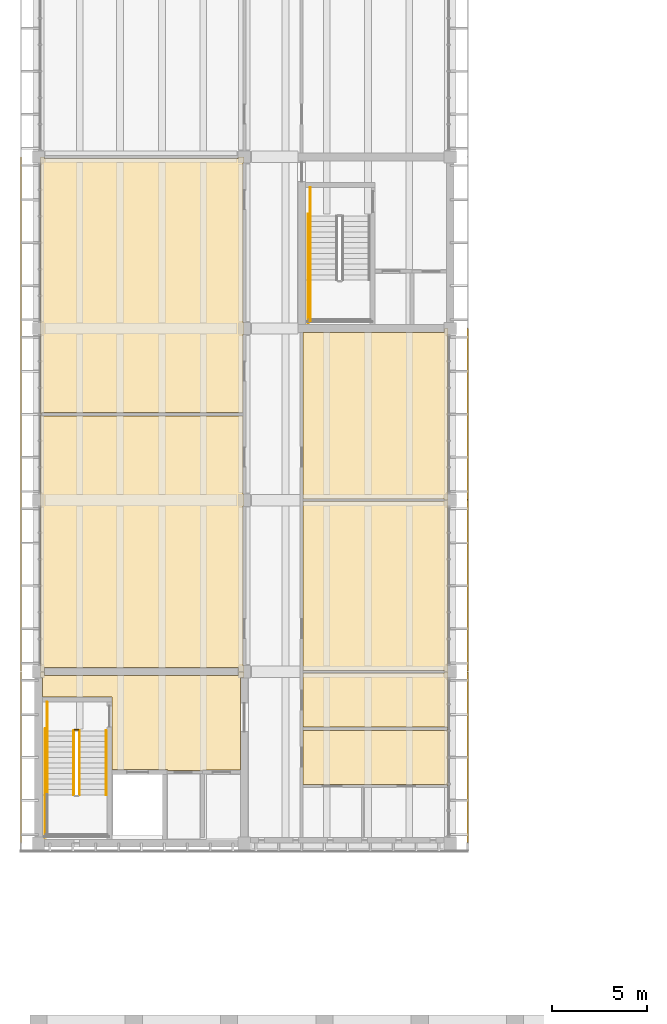
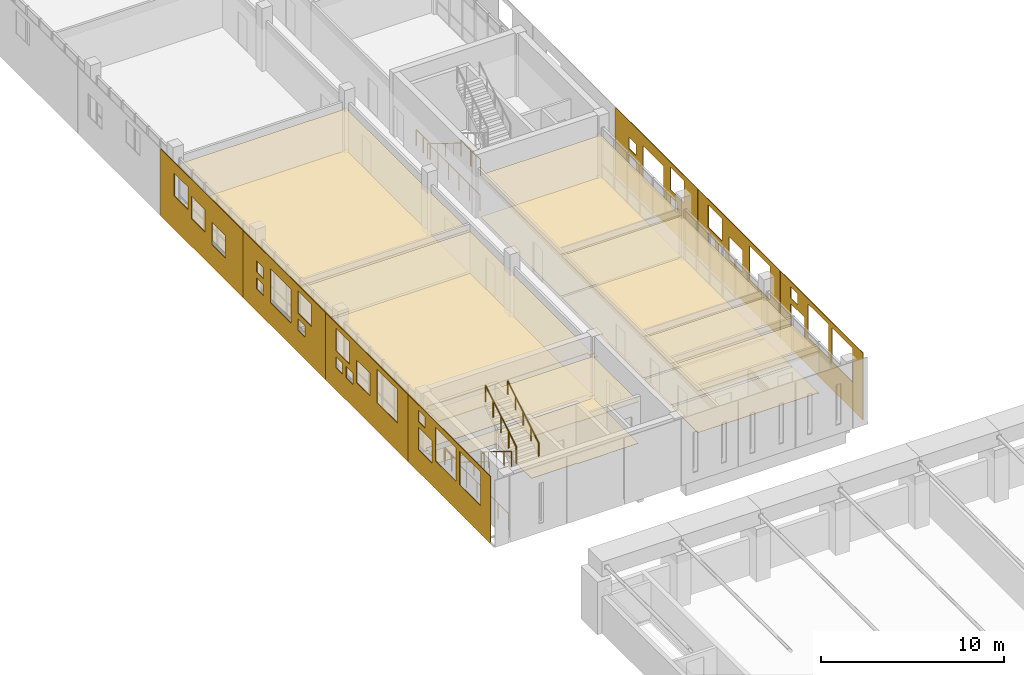
# One storey, part 76 of 92: 21 coverings, 11 railings.
"""IFC4 building model written with IfcOpenShell, lengths in metres."""

from ifc_helpers import new_model, si_unit, direction, frame, origin, origin_2d, place, context, subcontext, project, spatial, polyline, circle, outline, extrude, source, transform, mapped, material, layer, layer_set, type_object, element, save


model = new_model("IFC4")

# Units and contexts
model_context = context("Model", 3, precision=1e-05, world=origin(), true_north=direction((0.0, 1.0)))
body_context = subcontext(model_context, "Body", "Model", "MODEL_VIEW")
ifc_project = project(units=[si_unit("LENGTHUNIT", "METRE"), si_unit("AREAUNIT", "SQUARE_METRE"), si_unit("VOLUMEUNIT", "CUBIC_METRE"), si_unit("PLANEANGLEUNIT", "RADIAN"), si_unit("MASSUNIT", "GRAM", prefix="KILO")], contexts=[model_context])

# Site, building, storey
site_placement = place(None, origin())
site = spatial("IfcSite", under=ifc_project, at=site_placement, CompositionType="ELEMENT")
building_placement = place(site_placement, origin())
building = spatial("IfcBuilding", under=site, at=building_placement, Name="Merrow Basin Faculty of Sciences", CompositionType="ELEMENT")
storey_placement = place(building_placement, frame((0.0, 0.0, 4.5)))
storey = spatial("IfcBuildingStorey", under=building, at=storey_placement, Name="L01", CompositionType="ELEMENT", Elevation=4.5)

# Coverings
ifc_material_1 = material(Name="Carpet tile floor")
ifc_layer_1 = layer(ifc_material_1, 0.02001953125)
ifc_layer_set_1 = layer_set([ifc_layer_1], Name="Carpet tile floor")
covering_type_1 = type_object("IfcCoveringType", Name="Carpet tile floor", PredefinedType="FLOORING", material=ifc_layer_set_1)
covering_1_placement = place(storey_placement, origin())
element("IfcCovering", 1, at=covering_1_placement, inside=storey, type_object=covering_type_1, Name="Floor finish L01-B-022", PredefinedType="FLOORING", context=body_context, shape_type="SweptSolid", body=[
    extrude(outline(polyline([(21.489990234375, 78.989990234375), (21.489990234375, 70.010009765625), (21.284912109375, 70.010009765625), (21.284912109375, 70.06005859375), (13.885009765625, 70.06005859375), (13.885009765625, 78.93994140625), (21.284912109375, 78.93994140625), (21.284912109375, 78.989990234375), (21.489990234375, 78.989990234375)])), origin(), (0.0, 0.0, 1.0), 0.02001953125),
])
covering_2_placement = place(storey_placement, origin())
element("IfcCovering", 2, at=covering_2_placement, inside=storey, type_object=covering_type_1, Name="Floor finish L01-B-023", PredefinedType="FLOORING", context=body_context, shape_type="SweptSolid", body=[
    extrude(outline(polyline([(21.489990234375, 87.989990234375), (21.489990234375, 79.010009765625), (21.284912109375, 79.010009765625), (21.284912109375, 79.06005859375), (13.885009765625, 79.06005859375), (13.885009765625, 87.7900390625), (21.284912109375, 87.7900390625), (21.284912109375, 87.989990234375), (21.489990234375, 87.989990234375)])), origin(), (0.0, 0.0, 1.0), 0.02001953125),
])
covering_3_placement = place(storey_placement, origin())
element("IfcCovering", 3, at=covering_3_placement, inside=storey, type_object=covering_type_1, Name="Floor finish L01-B-027", PredefinedType="FLOORING", context=body_context, shape_type="SweptSolid", body=[
    extrude(outline(polyline([(21.489990234375, 69.989990234375), (21.489990234375, 67.010009765625), (21.429931640625, 67.010009765625), (21.429931640625, 67.0849609375), (13.885009765625, 67.0849609375), (13.885009765625, 69.93994140625), (21.284912109375, 69.93994140625), (21.284912109375, 69.989990234375), (21.489990234375, 69.989990234375)])), origin(), (0.0, 0.0, 1.0), 0.02001953125),
])
ifc_material_2 = material(Name="Laboratory sheet vinyl floor")
ifc_layer_2 = layer(ifc_material_2, 0.02001953125)
ifc_layer_set_2 = layer_set([ifc_layer_2], Name="Laboratory sheet vinyl floor")
covering_type_2 = type_object("IfcCoveringType", Name="Laboratory sheet vinyl floor", PredefinedType="FLOORING", material=ifc_layer_set_2)
covering_4_placement = place(storey_placement, origin())
element("IfcCovering", 4, at=covering_4_placement, inside=storey, type_object=covering_type_2, Name="Floor finish L01-B-017", PredefinedType="FLOORING", context=body_context, shape_type="SweptSolid", body=[
    extrude(outline(polyline([(10.715087890625, 83.4150390625), (10.715087890625, 79.31494140625), (10.7900390625, 79.31494140625), (10.7900390625, 78.68505859375), (10.715087890625, 78.68505859375), (10.715087890625, 70.31494140625), (10.7900390625, 70.31494140625), (10.7900390625, 70.010009765625), (10.485107421875, 70.010009765625), (10.485107421875, 70.2099609375), (0.31494140625, 70.2099609375), (0.31494140625, 70.010009765625), (0.110107421875, 70.010009765625), (0.110107421875, 83.489990234375), (0.169921875, 83.489990234375), (0.169921875, 83.4150390625), (10.715087890625, 83.4150390625)])), origin(), (0.0, 0.0, 1.0), 0.02001953125),
])
covering_5_placement = place(storey_placement, origin())
element("IfcCovering", 5, at=covering_5_placement, inside=storey, type_object=covering_type_2, Name="Floor finish L01-B-018", PredefinedType="FLOORING", context=body_context, shape_type="SweptSolid", body=[
    extrude(outline(polyline([(10.715087890625, 83.5849609375), (0.169921875, 83.5849609375), (0.169921875, 83.510009765625), (0.110107421875, 83.510009765625), (0.110107421875, 96.989990234375), (0.31494140625, 96.989990234375), (0.31494140625, 96.9150390625), (10.485107421875, 96.9150390625), (10.485107421875, 96.989990234375), (10.7900390625, 96.989990234375), (10.7900390625, 96.68505859375), (10.715087890625, 96.68505859375), (10.715087890625, 88.31494140625), (10.7900390625, 88.31494140625), (10.7900390625, 87.68505859375), (10.715087890625, 87.68505859375), (10.715087890625, 83.5849609375)])), origin(), (0.0, 0.0, 1.0), 0.02001953125),
])
ifc_material_3 = material(Name="Polished terrazzo floor")
ifc_layer_3 = layer(ifc_material_3, 0.02001953125)
ifc_layer_set_3 = layer_set([ifc_layer_3], Name="Polished terrazzo floor")
covering_type_3 = type_object("IfcCoveringType", Name="Polished terrazzo floor", PredefinedType="FLOORING", material=ifc_layer_set_3)
covering_6_placement = place(storey_placement, origin())
element("IfcCovering", 6, at=covering_6_placement, inside=storey, type_object=covering_type_3, Name="Floor finish L01-B-005", PredefinedType="FLOORING", context=body_context, shape_type="SweptSolid", body=[
    extrude(outline(polyline([(10.590087890625, 64.8349609375), (8.590087890625, 64.8349609375), (8.590087890625, 64.81005859375), (6.760009765625, 64.81005859375), (6.760009765625, 64.860107421875), (3.860107421875, 64.860107421875), (3.860107421875, 68.659912109375), (0.2099609375, 68.659912109375), (0.2099609375, 69.68505859375), (0.110107421875, 69.68505859375), (0.110107421875, 69.989990234375), (0.31494140625, 69.989990234375), (0.31494140625, 69.7900390625), (10.485107421875, 69.7900390625), (10.485107421875, 69.989990234375), (10.7900390625, 69.989990234375), (10.7900390625, 69.68505859375), (10.590087890625, 69.68505859375), (10.590087890625, 64.8349609375)])), origin(), (0.0, 0.0, 1.0), 0.02001953125),
])
covering_7_placement = place(storey_placement, origin())
element("IfcCovering", 7, at=covering_7_placement, inside=storey, type_object=covering_type_3, Name="Floor finish L01-B-016", PredefinedType="FLOORING", context=body_context, shape_type="SweptSolid", body=[
    extrude(outline(polyline([(21.489990234375, 66.989990234375), (21.489990234375, 64.010009765625), (21.429931640625, 64.010009765625), (21.429931640625, 64.0849609375), (13.885009765625, 64.0849609375), (13.885009765625, 66.9150390625), (21.429931640625, 66.9150390625), (21.429931640625, 66.989990234375), (21.489990234375, 66.989990234375)])), origin(), (0.0, 0.0, 1.0), 0.02001953125),
])

# Railings
ifc_material_4 = material(Name="Steel ASTM A36", Category="steel")
railing_type_1 = type_object("IfcRailingType", Name="Steel guard 1100", PredefinedType="GUARDRAIL", material=ifc_material_4)
railing_1_placement = place(storey_placement, frame((1.85009765625, 66.89990234375, 0.173095703125)))
element("IfcRailing", 8, at=railing_1_placement, inside=storey, type_object=railing_type_1, Name="L01 ST-V4-S stair guard 1", PredefinedType="GUARDRAIL", context=body_context, shape_type="SweptSolid", body=[
    extrude(circle(Radius=0.02392578125, at=origin_2d()), frame((0.0, 0.0, 1.076171875), z_axis=(0.0, -0.850606129759, 0.525803396734), x_axis=(1.0, 0.0, 0.0)), (0.0, 0.0, 1.0), 3.949951171875),
    extrude(circle(Radius=0.02099609375, at=origin_2d()), origin(), (0.0, 0.0, 1.0), 1.052001953125),
    extrude(circle(Radius=0.02099609375, at=origin_2d()), frame((0.0, -0.83984375, 0.519287109375)), (0.0, 0.0, 1.0), 1.052001953125),
    extrude(circle(Radius=0.02099609375, at=origin_2d()), frame((0.0, -1.679931640625, 1.03857421875)), (0.0, 0.0, 1.0), 1.052001953125),
    extrude(circle(Radius=0.02099609375, at=origin_2d()), frame((0.0, -2.52001953125, 1.5576171875)), (0.0, 0.0, 1.0), 1.052001953125),
    extrude(circle(Radius=0.02099609375, at=origin_2d()), frame((0.0, -3.35986328125, 2.076904296875)), (0.0, 0.0, 1.0), 1.052001953125),
])
railing_2_placement = place(storey_placement, frame((2.14990234375, 63.5400390625, 2.423095703125)))
element("IfcRailing", 9, at=railing_2_placement, inside=storey, type_object=railing_type_1, Name="L01 ST-V4-S stair guard 5", PredefinedType="GUARDRAIL", context=body_context, shape_type="SweptSolid", body=[
    extrude(circle(Radius=0.02392578125, at=origin_2d()), frame((0.0, 0.0, 1.076171875), z_axis=(0.0, 0.850606129759, 0.525803396734), x_axis=(-1.0, 0.0, 0.0)), (0.0, 0.0, 1.0), 3.949951171875),
    extrude(circle(Radius=0.02099609375, at=origin_2d()), origin(), (0.0, 0.0, 1.0), 1.052001953125),
    extrude(circle(Radius=0.02099609375, at=origin_2d()), frame((0.0, 0.83984375, 0.519287109375)), (0.0, 0.0, 1.0), 1.052001953125),
    extrude(circle(Radius=0.02099609375, at=origin_2d()), frame((0.0, 1.679931640625, 1.03857421875)), (0.0, 0.0, 1.0), 1.052001953125),
    extrude(circle(Radius=0.02099609375, at=origin_2d()), frame((0.0, 2.52001953125, 1.5576171875)), (0.0, 0.0, 1.0), 1.052001953125),
    extrude(circle(Radius=0.02099609375, at=origin_2d()), frame((0.0, 3.35986328125, 2.076904296875)), (0.0, 0.0, 1.0), 1.052001953125),
])
railing_3_placement = place(storey_placement, frame((1.89990234375, 66.949951171875, 0.0)))
element("IfcRailing", 10, at=railing_3_placement, inside=storey, type_object=railing_type_1, Name="L01 ST-V4-S stair guard 6", PredefinedType="GUARDRAIL", context=body_context, shape_type="SweptSolid", body=[
    extrude(circle(Radius=0.02392578125, at=origin_2d()), frame((0.0, 0.0, 1.076171875), z_axis=(1.0, 0.0, 0.0), x_axis=(0.0, 1.0, 0.0)), (0.0, 0.0, 1.0), 0.2001953125),
    extrude(circle(Radius=0.02099609375, at=origin_2d()), origin(), (0.0, 0.0, 1.0), 1.052001953125),
    extrude(circle(Radius=0.02099609375, at=origin_2d()), frame((0.2001953125, 0.0, 0.0)), (0.0, 0.0, 1.0), 1.052001953125),
])
railing_4_placement = place(storey_placement, frame((0.449951171875, 68.39990234375, 0.0)))
element("IfcRailing", 11, at=railing_4_placement, inside=storey, type_object=railing_type_1, Name="L01 ST-V4-S stair guard 7", PredefinedType="GUARDRAIL", context=body_context, shape_type="SweptSolid", body=[
    extrude(circle(Radius=0.02392578125, at=origin_2d()), frame((0.0, 0.0, 1.076171875), z_axis=(0.0, -1.0, 0.0), x_axis=(1.0, 0.0, 0.0)), (0.0, 0.0, 1.0), 1.5),
    extrude(circle(Radius=0.02099609375, at=origin_2d()), origin(), (0.0, 0.0, 1.0), 1.052001953125),
    extrude(circle(Radius=0.02099609375, at=origin_2d()), frame((0.0, -0.75, 0.0)), (0.0, 0.0, 1.0), 1.052001953125),
    extrude(circle(Radius=0.02099609375, at=origin_2d()), frame((0.0, -1.5, 0.0)), (0.0, 0.0, 1.0), 1.052001953125),
])
railing_5_placement = place(storey_placement, frame((0.35009765625, 67.0, 0.0)))
element("IfcRailing", 12, at=railing_5_placement, inside=storey, type_object=railing_type_1, Name="L01 ST-V4-S stair guard 8", PredefinedType="GUARDRAIL", context=body_context, shape_type="SweptSolid", body=[
    extrude(circle(Radius=0.02392578125, at=origin_2d()), frame((0.0, 0.0, 1.076171875), z_axis=(0.0, -1.0, 0.0), x_axis=(1.0, 0.0, 0.0)), (0.0, 0.0, 1.0), 5.699951171875),
    extrude(circle(Radius=0.02099609375, at=origin_2d()), origin(), (0.0, 0.0, 1.0), 1.052001953125),
    extrude(circle(Radius=0.02099609375, at=origin_2d()), frame((0.0, -1.139892578125, 0.0)), (0.0, 0.0, 1.0), 1.052001953125),
    extrude(circle(Radius=0.02099609375, at=origin_2d()), frame((0.0, -2.280029296875, 0.0)), (0.0, 0.0, 1.0), 1.052001953125),
    extrude(circle(Radius=0.02099609375, at=origin_2d()), frame((0.0, -3.419921875, 0.0)), (0.0, 0.0, 1.0), 1.052001953125),
    extrude(circle(Radius=0.02099609375, at=origin_2d()), frame((0.0, -4.56005859375, 0.0)), (0.0, 0.0, 1.0), 1.052001953125),
    extrude(circle(Radius=0.02099609375, at=origin_2d()), frame((0.0, -5.699951171875, 0.0)), (0.0, 0.0, 1.0), 1.052001953125),
])
railing_6_placement = place(storey_placement, frame((14.25, 90.5400390625, 2.25)))
element("IfcRailing", 13, at=railing_6_placement, inside=storey, type_object=railing_type_1, Name="L01 ST-V4-M stair guard 3", PredefinedType="GUARDRAIL", context=body_context, shape_type="SweptSolid", body=[
    extrude(circle(Radius=0.02392578125, at=origin_2d()), frame((0.0, 0.0, 1.076171875), z_axis=(0.0, -1.0, 0.0), x_axis=(1.0, 0.0, 0.0)), (0.0, 0.0, 1.0), 2.14013671875),
    extrude(circle(Radius=0.02099609375, at=origin_2d()), origin(), (0.0, 0.0, 1.0), 1.052001953125),
    extrude(circle(Radius=0.02099609375, at=origin_2d()), frame((0.0, -1.070068359375, 0.0)), (0.0, 0.0, 1.0), 1.052001953125),
    extrude(circle(Radius=0.02099609375, at=origin_2d()), frame((0.0, -2.14013671875, 0.0)), (0.0, 0.0, 1.0), 1.052001953125),
])
railing_7_placement = place(storey_placement, frame((14.25, 95.39990234375, 0.0)))
element("IfcRailing", 14, at=railing_7_placement, inside=storey, type_object=railing_type_1, Name="L01 ST-V4-M stair guard 7", PredefinedType="GUARDRAIL", context=body_context, shape_type="SweptSolid", body=[
    extrude(circle(Radius=0.02392578125, at=origin_2d()), frame((0.0, 0.0, 1.076171875), z_axis=(0.0, -1.0, 0.0), x_axis=(1.0, 0.0, 0.0)), (0.0, 0.0, 1.0), 1.5),
    extrude(circle(Radius=0.02099609375, at=origin_2d()), origin(), (0.0, 0.0, 1.0), 1.052001953125),
    extrude(circle(Radius=0.02099609375, at=origin_2d()), frame((0.0, -0.75, 0.0)), (0.0, 0.0, 1.0), 1.052001953125),
    extrude(circle(Radius=0.02099609375, at=origin_2d()), frame((0.0, -1.5, 0.0)), (0.0, 0.0, 1.0), 1.052001953125),
])
railing_8_placement = place(storey_placement, frame((14.14990234375, 94.0, 0.0)))
element("IfcRailing", 15, at=railing_8_placement, inside=storey, type_object=railing_type_1, Name="L01 ST-V4-M stair guard 8", PredefinedType="GUARDRAIL", context=body_context, shape_type="SweptSolid", body=[
    extrude(circle(Radius=0.02392578125, at=origin_2d()), frame((0.0, 0.0, 1.076171875), z_axis=(0.0, -1.0, 0.0), x_axis=(1.0, 0.0, 0.0)), (0.0, 0.0, 1.0), 5.699951171875),
    extrude(circle(Radius=0.02099609375, at=origin_2d()), origin(), (0.0, 0.0, 1.0), 1.052001953125),
    extrude(circle(Radius=0.02099609375, at=origin_2d()), frame((0.0, -1.139892578125, 0.0)), (0.0, 0.0, 1.0), 1.052001953125),
    extrude(circle(Radius=0.02099609375, at=origin_2d()), frame((0.0, -2.280029296875, 0.0)), (0.0, 0.0, 1.0), 1.052001953125),
    extrude(circle(Radius=0.02099609375, at=origin_2d()), frame((0.0, -3.419921875, 0.0)), (0.0, 0.0, 1.0), 1.052001953125),
    extrude(circle(Radius=0.02099609375, at=origin_2d()), frame((0.0, -4.56005859375, 0.0)), (0.0, 0.0, 1.0), 1.052001953125),
    extrude(circle(Radius=0.02099609375, at=origin_2d()), frame((0.0, -5.699951171875, 0.0)), (0.0, 0.0, 1.0), 1.052001953125),
])
ifc_material_5 = material(Name="Steel ASTM A36", Category="steel")
railing_type_2 = type_object("IfcRailingType", Name="Steel handrail 900", PredefinedType="HANDRAIL", material=ifc_material_5)
railing_9_placement = place(storey_placement, frame((0.449951171875, 66.89990234375, 0.173095703125)))
element("IfcRailing", 16, at=railing_9_placement, inside=storey, type_object=railing_type_2, Name="L01 ST-V4-S stair handrail 1", PredefinedType="HANDRAIL", context=body_context, shape_type="SweptSolid", body=[
    extrude(circle(Radius=0.02392578125, at=origin_2d()), frame((0.0, 0.0, 0.8759765625), z_axis=(0.0, -0.850606129759, 0.525803396734), x_axis=(1.0, 0.0, 0.0)), (0.0, 0.0, 1.0), 3.949951171875),
    extrude(circle(Radius=0.02099609375, at=origin_2d()), origin(), (0.0, 0.0, 1.0), 0.851806640625),
    extrude(circle(Radius=0.02099609375, at=origin_2d()), frame((0.0, -0.83984375, 0.519287109375)), (0.0, 0.0, 1.0), 0.851806640625),
    extrude(circle(Radius=0.02099609375, at=origin_2d()), frame((0.0, -1.679931640625, 1.03857421875)), (0.0, 0.0, 1.0), 0.851806640625),
    extrude(circle(Radius=0.02099609375, at=origin_2d()), frame((0.0, -2.52001953125, 1.5576171875)), (0.0, 0.0, 1.0), 0.851806640625),
    extrude(circle(Radius=0.02099609375, at=origin_2d()), frame((0.0, -3.35986328125, 2.076904296875)), (0.0, 0.0, 1.0), 0.851806640625),
])
railing_10_placement = place(storey_placement, frame((3.550048828125, 63.5400390625, 2.423095703125)))
element("IfcRailing", 17, at=railing_10_placement, inside=storey, type_object=railing_type_2, Name="L01 ST-V4-S stair handrail 2", PredefinedType="HANDRAIL", context=body_context, shape_type="SweptSolid", body=[
    extrude(circle(Radius=0.02392578125, at=origin_2d()), frame((0.0, 0.0, 0.8759765625), z_axis=(0.0, 0.850606129759, 0.525803396734), x_axis=(-1.0, 0.0, 0.0)), (0.0, 0.0, 1.0), 3.949951171875),
    extrude(circle(Radius=0.02099609375, at=origin_2d()), origin(), (0.0, 0.0, 1.0), 0.851806640625),
    extrude(circle(Radius=0.02099609375, at=origin_2d()), frame((0.0, 0.83984375, 0.519287109375)), (0.0, 0.0, 1.0), 0.851806640625),
    extrude(circle(Radius=0.02099609375, at=origin_2d()), frame((0.0, 1.679931640625, 1.03857421875)), (0.0, 0.0, 1.0), 0.851806640625),
    extrude(circle(Radius=0.02099609375, at=origin_2d()), frame((0.0, 2.52001953125, 1.5576171875)), (0.0, 0.0, 1.0), 0.851806640625),
    extrude(circle(Radius=0.02099609375, at=origin_2d()), frame((0.0, 3.35986328125, 2.076904296875)), (0.0, 0.0, 1.0), 0.851806640625),
])
railing_11_placement = place(storey_placement, frame((14.25, 93.89990234375, 0.173095703125)))
element("IfcRailing", 18, at=railing_11_placement, inside=storey, type_object=railing_type_2, Name="L01 ST-V4-M stair handrail 1", PredefinedType="HANDRAIL", context=body_context, shape_type="SweptSolid", body=[
    extrude(circle(Radius=0.02392578125, at=origin_2d()), frame((0.0, 0.0, 0.8759765625), z_axis=(0.0, -0.850606129759, 0.525803396734), x_axis=(1.0, 0.0, 0.0)), (0.0, 0.0, 1.0), 3.949951171875),
    extrude(circle(Radius=0.02099609375, at=origin_2d()), origin(), (0.0, 0.0, 1.0), 0.851806640625),
    extrude(circle(Radius=0.02099609375, at=origin_2d()), frame((0.0, -0.83984375, 0.519287109375)), (0.0, 0.0, 1.0), 0.851806640625),
    extrude(circle(Radius=0.02099609375, at=origin_2d()), frame((0.0, -1.679931640625, 1.03857421875)), (0.0, 0.0, 1.0), 0.851806640625),
    extrude(circle(Radius=0.02099609375, at=origin_2d()), frame((0.0, -2.52001953125, 1.5576171875)), (0.0, 0.0, 1.0), 0.851806640625),
    extrude(circle(Radius=0.02099609375, at=origin_2d()), frame((0.0, -3.35986328125, 2.076904296875)), (0.0, 0.0, 1.0), 0.851806640625),
])

# Coverings
ifc_material_6 = material(Name="Mineral fibre ceiling tile")
ifc_layer_4 = layer(ifc_material_6, 0.050048828125)
ifc_layer_set_4 = layer_set([ifc_layer_4], Name="Suspended acoustic ceiling tile")
covering_type_4 = type_object("IfcCoveringType", Name="Suspended acoustic ceiling tile", PredefinedType="CEILING", material=ifc_layer_set_4)
covering_8_placement = place(storey_placement, frame((0.0, 0.0, 2.75)))
element("IfcCovering", 19, at=covering_8_placement, inside=storey, type_object=covering_type_4, Name="Ceiling L01-B-005", PredefinedType="CEILING", context=body_context, shape_type="SweptSolid", body=[
    extrude(outline(polyline([(10.590087890625, 64.8349609375), (8.590087890625, 64.8349609375), (8.590087890625, 64.81005859375), (6.760009765625, 64.81005859375), (6.760009765625, 64.860107421875), (3.860107421875, 64.860107421875), (3.860107421875, 68.659912109375), (0.2099609375, 68.659912109375), (0.2099609375, 69.68505859375), (0.110107421875, 69.68505859375), (0.110107421875, 69.989990234375), (0.31494140625, 69.989990234375), (0.31494140625, 69.7900390625), (10.485107421875, 69.7900390625), (10.485107421875, 69.989990234375), (10.7900390625, 69.989990234375), (10.7900390625, 69.68505859375), (10.590087890625, 69.68505859375), (10.590087890625, 64.8349609375)])), origin(), (0.0, 0.0, 1.0), 0.050048828125),
])
covering_9_placement = place(storey_placement, frame((0.0, 0.0, 2.75)))
element("IfcCovering", 20, at=covering_9_placement, inside=storey, type_object=covering_type_4, Name="Ceiling L01-B-016", PredefinedType="CEILING", context=body_context, shape_type="SweptSolid", body=[
    extrude(outline(polyline([(21.489990234375, 66.989990234375), (21.489990234375, 64.010009765625), (21.429931640625, 64.010009765625), (21.429931640625, 64.0849609375), (13.885009765625, 64.0849609375), (13.885009765625, 66.9150390625), (21.429931640625, 66.9150390625), (21.429931640625, 66.989990234375), (21.489990234375, 66.989990234375)])), origin(), (0.0, 0.0, 1.0), 0.050048828125),
])
covering_10_placement = place(storey_placement, frame((0.0, 0.0, 2.75)))
element("IfcCovering", 21, at=covering_10_placement, inside=storey, type_object=covering_type_4, Name="Ceiling L01-B-017", PredefinedType="CEILING", context=body_context, shape_type="SweptSolid", body=[
    extrude(outline(polyline([(10.715087890625, 83.4150390625), (10.715087890625, 79.31494140625), (10.7900390625, 79.31494140625), (10.7900390625, 78.68505859375), (10.715087890625, 78.68505859375), (10.715087890625, 70.31494140625), (10.7900390625, 70.31494140625), (10.7900390625, 70.010009765625), (10.485107421875, 70.010009765625), (10.485107421875, 70.2099609375), (0.31494140625, 70.2099609375), (0.31494140625, 70.010009765625), (0.110107421875, 70.010009765625), (0.110107421875, 83.489990234375), (0.169921875, 83.489990234375), (0.169921875, 83.4150390625), (10.715087890625, 83.4150390625)])), origin(), (0.0, 0.0, 1.0), 0.050048828125),
])
covering_11_placement = place(storey_placement, frame((0.0, 0.0, 2.75)))
element("IfcCovering", 22, at=covering_11_placement, inside=storey, type_object=covering_type_4, Name="Ceiling L01-B-018", PredefinedType="CEILING", context=body_context, shape_type="SweptSolid", body=[
    extrude(outline(polyline([(10.715087890625, 83.5849609375), (0.169921875, 83.5849609375), (0.169921875, 83.510009765625), (0.110107421875, 83.510009765625), (0.110107421875, 96.989990234375), (0.31494140625, 96.989990234375), (0.31494140625, 96.9150390625), (10.485107421875, 96.9150390625), (10.485107421875, 96.989990234375), (10.7900390625, 96.989990234375), (10.7900390625, 96.68505859375), (10.715087890625, 96.68505859375), (10.715087890625, 88.31494140625), (10.7900390625, 88.31494140625), (10.7900390625, 87.68505859375), (10.715087890625, 87.68505859375), (10.715087890625, 83.5849609375)])), origin(), (0.0, 0.0, 1.0), 0.050048828125),
])
covering_12_placement = place(storey_placement, frame((0.0, 0.0, 2.75)))
element("IfcCovering", 23, at=covering_12_placement, inside=storey, type_object=covering_type_4, Name="Ceiling L01-B-022", PredefinedType="CEILING", context=body_context, shape_type="SweptSolid", body=[
    extrude(outline(polyline([(21.489990234375, 78.989990234375), (21.489990234375, 70.010009765625), (21.284912109375, 70.010009765625), (21.284912109375, 70.06005859375), (13.885009765625, 70.06005859375), (13.885009765625, 78.93994140625), (21.284912109375, 78.93994140625), (21.284912109375, 78.989990234375), (21.489990234375, 78.989990234375)])), origin(), (0.0, 0.0, 1.0), 0.050048828125),
])
covering_13_placement = place(storey_placement, frame((0.0, 0.0, 2.75)))
element("IfcCovering", 24, at=covering_13_placement, inside=storey, type_object=covering_type_4, Name="Ceiling L01-B-023", PredefinedType="CEILING", context=body_context, shape_type="SweptSolid", body=[
    extrude(outline(polyline([(21.489990234375, 87.989990234375), (21.489990234375, 79.010009765625), (21.284912109375, 79.010009765625), (21.284912109375, 79.06005859375), (13.885009765625, 79.06005859375), (13.885009765625, 87.7900390625), (21.284912109375, 87.7900390625), (21.284912109375, 87.989990234375), (21.489990234375, 87.989990234375)])), origin(), (0.0, 0.0, 1.0), 0.050048828125),
])
covering_14_placement = place(storey_placement, frame((0.0, 0.0, 2.75)))
element("IfcCovering", 25, at=covering_14_placement, inside=storey, type_object=covering_type_4, Name="Ceiling L01-B-027", PredefinedType="CEILING", context=body_context, shape_type="SweptSolid", body=[
    extrude(outline(polyline([(21.489990234375, 69.989990234375), (21.489990234375, 67.010009765625), (21.429931640625, 67.010009765625), (21.429931640625, 67.0849609375), (13.885009765625, 67.0849609375), (13.885009765625, 69.93994140625), (21.284912109375, 69.93994140625), (21.284912109375, 69.989990234375), (21.489990234375, 69.989990234375)])), origin(), (0.0, 0.0, 1.0), 0.050048828125),
])
ifc_material_7 = material(Name="White powder-coated aluminium", Category="aluminium")
ifc_layer_5 = layer(ifc_material_7, 0.0400390625)
ifc_layer_set_5 = layer_set([ifc_layer_5], Name="Perforated panel 9000 x 4500")
covering_type_5 = type_object("IfcCoveringType", Name="Perforated panel 9000 x 4500", PredefinedType="CLADDING", material=ifc_layer_set_5)
shared_shape_1 = source(origin(), body_context, "Body", "SweptSolid", [
    extrude(outline(polyline([(0.02001953125, 0.02001953125), (8.97998046875, 0.02001953125), (8.97998046875, 4.47998046875), (0.02001953125, 4.47998046875), (0.02001953125, 0.02001953125)]), holes=[polyline([(6.375, 1.5), (7.875, 1.5), (7.875, 3.0), (6.375, 3.0), (6.375, 1.5)]), polyline([(1.125, 1.875), (3.375, 1.875), (3.375, 4.125), (1.125, 4.125), (1.125, 1.875)]), polyline([(3.75, 1.875), (6.0, 1.875), (6.0, 4.125), (3.75, 4.125), (3.75, 1.875)]), polyline([(7.125, 3.375), (7.875, 3.375), (7.875, 4.125), (7.125, 4.125), (7.125, 3.375)])]), origin(), (0.0, 0.0, 1.0), 0.0400390625),
])
covering_15_placement = place(storey_placement, frame((-0.93994140625, 61.0, -0.320068359375), z_axis=(1.0, 0.0, 0.0), x_axis=(0.0, 1.0, 0.0)))
element("IfcCovering", 26, at=covering_15_placement, inside=storey, type_object=covering_type_5, Name="Perforated panel WL01-01", PredefinedType="CLADDING", context=body_context, shape_type="MappedRepresentation", body=[
    mapped(shared_shape_1, transform((0.0, 0.0, 0.0), scale=1.0)),
])
shared_shape_2 = source(origin(), body_context, "Body", "SweptSolid", [
    extrude(outline(polyline([(0.02001953125, 0.02001953125), (8.97998046875, 0.02001953125), (8.97998046875, 4.47998046875), (0.02001953125, 4.47998046875), (0.02001953125, 0.02001953125)]), holes=[polyline([(1.125, 1.5), (2.625, 1.5), (2.625, 3.0), (1.125, 3.0), (1.125, 1.5)]), polyline([(5.625, 1.875), (7.875, 1.875), (7.875, 4.125), (5.625, 4.125), (5.625, 1.875)]), polyline([(3.0, 1.875), (5.25, 1.875), (5.25, 4.125), (3.0, 4.125), (3.0, 1.875)]), polyline([(1.125, 3.375), (1.875, 3.375), (1.875, 4.125), (1.125, 4.125), (1.125, 3.375)])]), origin(), (0.0, 0.0, 1.0), 0.0400390625),
])
covering_16_placement = place(storey_placement, frame((22.5400390625, 70.0, -0.320068359375), z_axis=(-1.0, 0.0, 0.0), x_axis=(0.0, -1.0, 0.0)))
element("IfcCovering", 27, at=covering_16_placement, inside=storey, type_object=covering_type_5, Name="Perforated panel EL01-01", PredefinedType="CLADDING", context=body_context, shape_type="MappedRepresentation", body=[
    mapped(shared_shape_2, transform((0.0, 0.0, 0.0), scale=1.0)),
])
shared_shape_3 = source(origin(), body_context, "Body", "SweptSolid", [
    extrude(outline(polyline([(0.02001953125, 0.02001953125), (8.97998046875, 0.02001953125), (8.97998046875, 4.47998046875), (0.02001953125, 4.47998046875), (0.02001953125, 0.02001953125)]), holes=[polyline([(6.0, 1.5), (6.75, 1.5), (6.75, 2.25), (6.0, 2.25), (6.0, 1.5)]), polyline([(7.125, 1.5), (7.875, 1.5), (7.875, 2.25), (7.125, 2.25), (7.125, 1.5)]), polyline([(1.125, 1.875), (3.375, 1.875), (3.375, 4.125), (1.125, 4.125), (1.125, 1.875)]), polyline([(4.125, 1.875), (5.625, 1.875), (5.625, 3.375), (4.125, 3.375), (4.125, 1.875)]), polyline([(6.375, 2.625), (7.875, 2.625), (7.875, 4.125), (6.375, 4.125), (6.375, 2.625)])]), origin(), (0.0, 0.0, 1.0), 0.0400390625),
])
covering_17_placement = place(storey_placement, frame((-0.93994140625, 70.0, -0.320068359375), z_axis=(1.0, 0.0, 0.0), x_axis=(0.0, 1.0, 0.0)))
element("IfcCovering", 28, at=covering_17_placement, inside=storey, type_object=covering_type_5, Name="Perforated panel WL01-02", PredefinedType="CLADDING", context=body_context, shape_type="MappedRepresentation", body=[
    mapped(shared_shape_3, transform((0.0, 0.0, 0.0), scale=1.0)),
])
shared_shape_4 = source(origin(), body_context, "Body", "SweptSolid", [
    extrude(outline(polyline([(0.02001953125, 0.02001953125), (8.97998046875, 0.02001953125), (8.97998046875, 4.47998046875), (0.02001953125, 4.47998046875), (0.02001953125, 0.02001953125)]), holes=[polyline([(2.25, 1.5), (3.0, 1.5), (3.0, 2.25), (2.25, 2.25), (2.25, 1.5)]), polyline([(1.125, 1.5), (1.875, 1.5), (1.875, 2.25), (1.125, 2.25), (1.125, 1.5)]), polyline([(5.625, 1.875), (7.875, 1.875), (7.875, 4.125), (5.625, 4.125), (5.625, 1.875)]), polyline([(3.375, 1.875), (4.875, 1.875), (4.875, 3.375), (3.375, 3.375), (3.375, 1.875)]), polyline([(1.125, 2.625), (2.625, 2.625), (2.625, 4.125), (1.125, 4.125), (1.125, 2.625)])]), origin(), (0.0, 0.0, 1.0), 0.0400390625),
])
covering_18_placement = place(storey_placement, frame((22.5400390625, 79.0, -0.320068359375), z_axis=(-1.0, 0.0, 0.0), x_axis=(0.0, -1.0, 0.0)))
element("IfcCovering", 29, at=covering_18_placement, inside=storey, type_object=covering_type_5, Name="Perforated panel EL01-02", PredefinedType="CLADDING", context=body_context, shape_type="MappedRepresentation", body=[
    mapped(shared_shape_4, transform((0.0, 0.0, 0.0), scale=1.0)),
])
shared_shape_5 = source(origin(), body_context, "Body", "SweptSolid", [
    extrude(outline(polyline([(0.02001953125, 0.02001953125), (8.97998046875, 0.02001953125), (8.97998046875, 4.47998046875), (0.02001953125, 4.47998046875), (0.02001953125, 0.02001953125)]), holes=[polyline([(2.25, 1.5), (3.0, 1.5), (3.0, 2.25), (2.25, 2.25), (2.25, 1.5)]), polyline([(3.75, 1.5), (6.0, 1.5), (6.0, 3.75), (3.75, 3.75), (3.75, 1.5)]), polyline([(6.75, 1.5), (7.5, 1.5), (7.5, 2.25), (6.75, 2.25), (6.75, 1.5)]), polyline([(1.5, 2.625), (3.0, 2.625), (3.0, 4.125), (1.5, 4.125), (1.5, 2.625)]), polyline([(6.75, 2.625), (7.5, 2.625), (7.5, 3.375), (6.75, 3.375), (6.75, 2.625)])]), origin(), (0.0, 0.0, 1.0), 0.0400390625),
])
covering_19_placement = place(storey_placement, frame((-0.93994140625, 79.0, -0.320068359375), z_axis=(1.0, 0.0, 0.0), x_axis=(0.0, 1.0, 0.0)))
element("IfcCovering", 30, at=covering_19_placement, inside=storey, type_object=covering_type_5, Name="Perforated panel WL01-03", PredefinedType="CLADDING", context=body_context, shape_type="MappedRepresentation", body=[
    mapped(shared_shape_5, transform((0.0, 0.0, 0.0), scale=1.0)),
])
shared_shape_6 = source(origin(), body_context, "Body", "SweptSolid", [
    extrude(outline(polyline([(0.02001953125, 0.02001953125), (8.97998046875, 0.02001953125), (8.97998046875, 4.47998046875), (0.02001953125, 4.47998046875), (0.02001953125, 0.02001953125)]), holes=[polyline([(6.0, 1.5), (6.75, 1.5), (6.75, 2.25), (6.0, 2.25), (6.0, 1.5)]), polyline([(3.0, 1.5), (5.25, 1.5), (5.25, 3.75), (3.0, 3.75), (3.0, 1.5)]), polyline([(1.5, 1.5), (2.25, 1.5), (2.25, 2.25), (1.5, 2.25), (1.5, 1.5)]), polyline([(6.0, 2.625), (7.5, 2.625), (7.5, 4.125), (6.0, 4.125), (6.0, 2.625)]), polyline([(1.5, 2.625), (2.25, 2.625), (2.25, 3.375), (1.5, 3.375), (1.5, 2.625)])]), origin(), (0.0, 0.0, 1.0), 0.0400390625),
])
covering_20_placement = place(storey_placement, frame((22.5400390625, 88.0, -0.320068359375), z_axis=(-1.0, 0.0, 0.0), x_axis=(0.0, -1.0, 0.0)))
element("IfcCovering", 31, at=covering_20_placement, inside=storey, type_object=covering_type_5, Name="Perforated panel EL01-03", PredefinedType="CLADDING", context=body_context, shape_type="MappedRepresentation", body=[
    mapped(shared_shape_6, transform((0.0, 0.0, 0.0), scale=1.0)),
])
shared_shape_7 = source(origin(), body_context, "Body", "SweptSolid", [
    extrude(outline(polyline([(0.02001953125, 0.02001953125), (8.97998046875, 0.02001953125), (8.97998046875, 4.47998046875), (0.02001953125, 4.47998046875), (0.02001953125, 0.02001953125)]), holes=[polyline([(1.875, 1.5), (3.375, 1.5), (3.375, 3.0), (1.875, 3.0), (1.875, 1.5)]), polyline([(4.125, 1.875), (5.625, 1.875), (5.625, 3.375), (4.125, 3.375), (4.125, 1.875)]), polyline([(6.0, 2.25), (7.5, 2.25), (7.5, 3.75), (6.0, 3.75), (6.0, 2.25)])]), origin(), (0.0, 0.0, 1.0), 0.0400390625),
])
covering_21_placement = place(storey_placement, frame((-0.93994140625, 88.0, -0.320068359375), z_axis=(1.0, 0.0, 0.0), x_axis=(0.0, 1.0, 0.0)))
element("IfcCovering", 32, at=covering_21_placement, inside=storey, type_object=covering_type_5, Name="Perforated panel WL01-04", PredefinedType="CLADDING", context=body_context, shape_type="MappedRepresentation", body=[
    mapped(shared_shape_7, transform((0.0, 0.0, 0.0), scale=1.0)),
])

save(model, "model.ifc")
